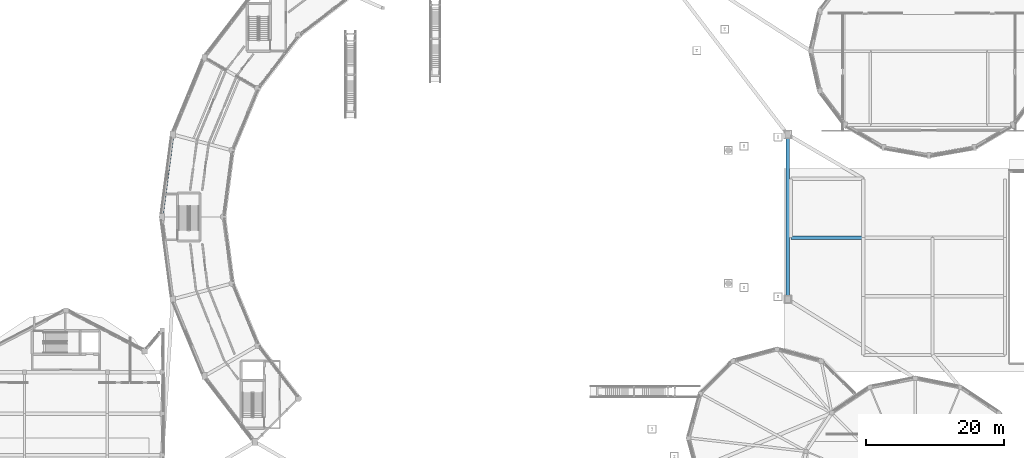
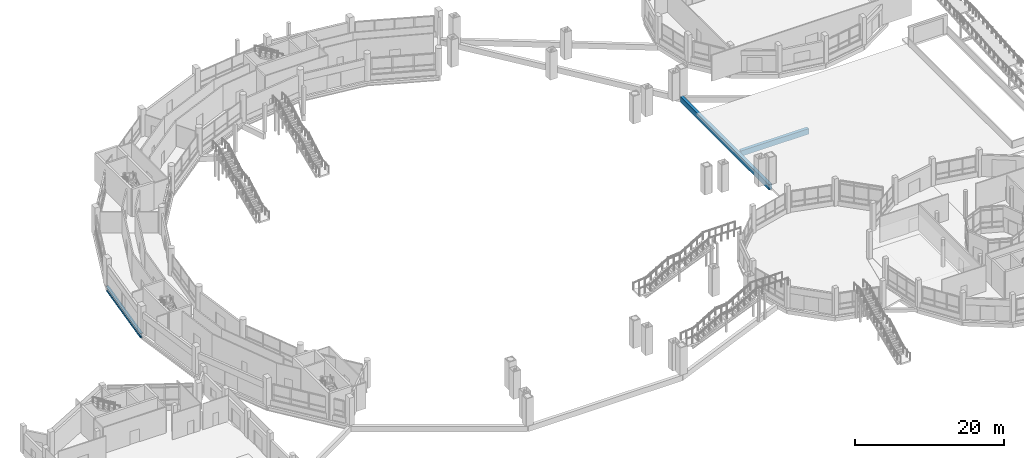
# One storey, part 44 of 129: 3 beams.
"""IFC4 building model written with IfcOpenShell, lengths in metres."""

from ifc_helpers import new_model, si_unit, direction, frame, origin, origin_2d, place, context, subcontext, project, spatial, rectangle, i_section, extrude, material, material_profile, profile_set, type_object, element, save


model = new_model("IFC4")

# Units and contexts
model_context = context("Model", 3, precision=1e-05, world=origin(), true_north=direction((0.0, 1.0)))
body_context = subcontext(model_context, "Body", "Model", "MODEL_VIEW")
ifc_project = project(units=[si_unit("LENGTHUNIT", "METRE"), si_unit("AREAUNIT", "SQUARE_METRE"), si_unit("VOLUMEUNIT", "CUBIC_METRE"), si_unit("PLANEANGLEUNIT", "RADIAN"), si_unit("MASSUNIT", "GRAM", prefix="KILO")], contexts=[model_context])

# Site, building, storey
site_placement = place(None, origin())
site = spatial("IfcSite", under=ifc_project, at=site_placement, CompositionType="ELEMENT")
building_placement = place(site_placement, origin())
building = spatial("IfcBuilding", under=site, at=building_placement, Name="Vespera Passage Community Centre", CompositionType="ELEMENT")
storey_placement = place(building_placement, origin())
storey = spatial("IfcBuildingStorey", under=building, at=storey_placement, Name="L00", CompositionType="ELEMENT", Elevation=0.0)

# Beams
ifc_material_1 = material(Name="Concrete f'c 45 MPa", Category="concrete")
ifc_material_profile_1 = material_profile(ifc_material_1, rectangle(XDim=0.5, YDim=0.89990234375, at=origin_2d()), Name="RC500X900")
ifc_profile_set_1 = profile_set([ifc_material_profile_1], Name="Concrete f'c 45 MPa")
beam_type_1 = type_object("IfcBeamType", Name="BM-G-500X900", PredefinedType="BEAM", material=ifc_profile_set_1)
beam_1_placement = place(storey_placement, frame((123.0, 62.5, -0.7900390625), z_axis=(1.0, 0.0, 0.0), x_axis=(0.0, 1.0, 0.0)))
element("IfcBeam", 1, at=beam_1_placement, inside=storey, type_object=beam_type_1, Name="B1 Car Park Deck Girder GAR-C13-GAR-C23", PredefinedType="BEAM", context=body_context, shape_type="SweptSolid", body=[
    extrude(rectangle(XDim=0.5, YDim=0.89990234375, at=origin_2d()), origin(), (0.0, 0.0, 1.0), 10.5),
])
beam_2_placement = place(storey_placement, frame((122.529296875, 53.568359375, -0.7900390625), z_axis=(0.0, 1.0, 0.0), x_axis=(-1.0, 0.0, 0.0)))
element("IfcBeam", 2, at=beam_2_placement, inside=storey, type_object=beam_type_1, Name="Subgrade Structural Tie Girder 7", PredefinedType="BEAM", context=body_context, shape_type="SweptSolid", body=[
    extrude(rectangle(XDim=0.5, YDim=0.89990234375, at=origin_2d()), origin(), (0.0, 0.0, 1.0), 23.86328125),
])
ifc_material_2 = material(Name="Steel ASTM A992 Grade 50", Category="steel")
ifc_material_profile_2 = material_profile(ifc_material_2, i_section(OverallWidth=0.382080078125, OverallDepth=0.779296875, WebThickness=0.01806640625, FlangeThickness=0.030029296875, FilletRadius=0.0166015625, at=origin_2d()), Name="W30X191")
ifc_profile_set_2 = profile_set([ifc_material_profile_2], Name="Steel ASTM A992 Grade 50")
beam_type_2 = type_object("IfcBeamType", Name="BM-SP-W30X191E", PredefinedType="SPANDREL", material=ifc_profile_set_2)
beam_3_placement = place(storey_placement, frame((33.470703125, 77.431640625, -0.669677734375), z_axis=(-0.130523782115, -0.991445178667, 0.0), x_axis=(0.991445178667, -0.130523782115, 0.0)))
element("IfcBeam", 3, at=beam_3_placement, inside=storey, type_object=beam_type_2, Name="V4 L00 Outer Spandrel 11", PredefinedType="SPANDREL", context=body_context, shape_type="SweptSolid", body=[
    extrude(i_section(OverallWidth=0.382080078125, OverallDepth=0.779296875, WebThickness=0.01806640625, FlangeThickness=0.030029296875, FilletRadius=0.0166015625, at=origin_2d()), origin(), (0.0, 0.0, 1.0), 12.03466796875),
])

save(model, "model.ifc")
